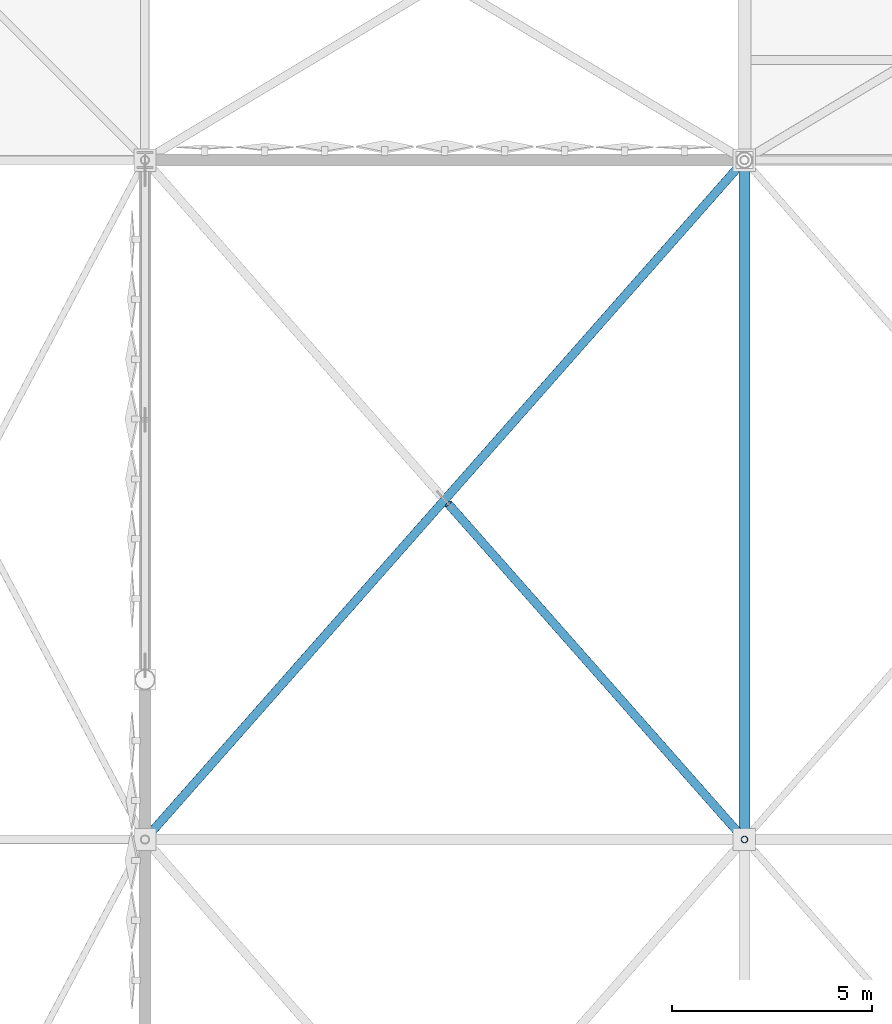
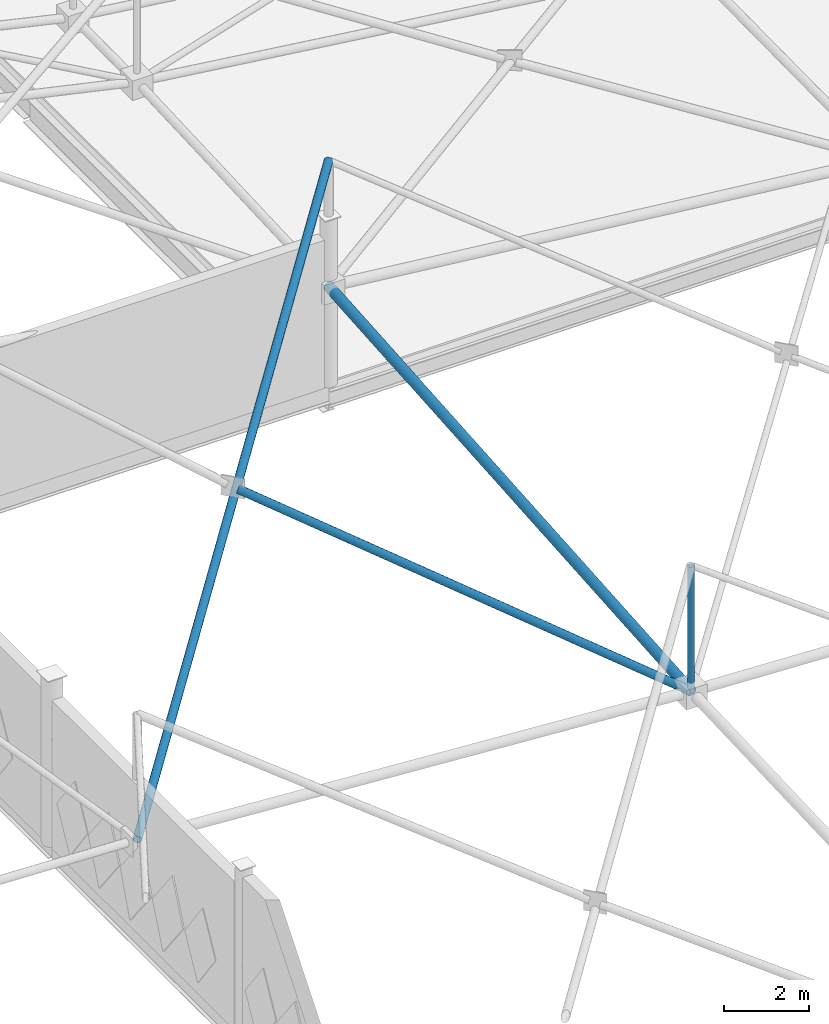
# One storey, part 74 of 224: 4 members.
"""IFC4 building model written with IfcOpenShell, lengths in metres."""

from ifc_helpers import new_model, si_unit, direction, frame, origin, origin_2d, place, context, subcontext, project, spatial, hollow_circle, extrude, material, material_profile, profile_set, type_object, element, save


model = new_model("IFC4")

# Units and contexts
model_context = context("Model", 3, precision=1e-05, world=origin(), true_north=direction((0.0, 1.0)))
body_context = subcontext(model_context, "Body", "Model", "MODEL_VIEW")
ifc_project = project(units=[si_unit("LENGTHUNIT", "METRE"), si_unit("AREAUNIT", "SQUARE_METRE"), si_unit("VOLUMEUNIT", "CUBIC_METRE"), si_unit("PLANEANGLEUNIT", "RADIAN"), si_unit("MASSUNIT", "GRAM", prefix="KILO")], contexts=[model_context])

# Site, building, storey
site_placement = place(None, origin())
site = spatial("IfcSite", under=ifc_project, at=site_placement, CompositionType="ELEMENT")
building_placement = place(site_placement, origin())
building = spatial("IfcBuilding", under=site, at=building_placement, Name="Qamarlyn Nura Convention Centre", CompositionType="ELEMENT")
storey_placement = place(building_placement, frame((0.0, 0.0, 10.800048828125)))
storey = spatial("IfcBuildingStorey", under=building, at=storey_placement, Name="L02", CompositionType="ELEMENT", Elevation=10.800048828125)

# Members
ifc_material = material(Name="Pearl-white PVDF steel ASTM A500 Grade C", Category="steel")
ifc_material_profile_1 = material_profile(ifc_material, hollow_circle(Radius=0.136474609375, WallThickness=0.012451171875, at=origin_2d()), Name="CHS273X12.5")
ifc_profile_set_1 = profile_set([ifc_material_profile_1], Name="Pearl-white PVDF steel ASTM A500 Grade C")
member_type_1 = type_object("IfcMemberType", Name="SF-BC-MAIN", PredefinedType="CHORD", material=ifc_profile_set_1)
member_1_placement = place(storey_placement, frame((15.0, 86.0, 1.48046875), z_axis=(0.0, 0.997141772719, 0.075553193831), x_axis=(-1.0, 0.0, 0.0)))
element("IfcMember", 1, at=member_1_placement, inside=storey, type_object=member_type_1, Name="ROOF TRUSS space frame bottom chord Y3-6", PredefinedType="CHORD", context=body_context, shape_type="SweptSolid", body=[
    extrude(hollow_circle(Radius=0.136474609375, WallThickness=0.012451171875, at=origin_2d()), origin(), (0.0, 0.0, 1.0), 17.048828125),
])
ifc_material_profile_2 = material_profile(ifc_material, hollow_circle(Radius=0.109619140625, WallThickness=0.010009765625, at=origin_2d()), Name="CHS219.1X10")
ifc_profile_set_2 = profile_set([ifc_material_profile_2], Name="Pearl-white PVDF steel ASTM A500 Grade C")
member_type_2 = type_object("IfcMemberType", Name="SF-WEB-HVY", PredefinedType="BRACE", material=ifc_profile_set_2)
member_2_placement = place(storey_placement, frame((0.0, 86.0, 2.483642578125), z_axis=(0.652116407985, 0.739065262383, 0.168898574223), x_axis=(-0.749837855365, 0.661621637087, 0.0)))
element("IfcMember", 2, at=member_2_placement, inside=storey, type_object=member_type_2, Name="ROOF TRUSS space frame diagonal A 2-6", PredefinedType="BRACE", context=body_context, shape_type="SweptSolid", body=[
    extrude(hollow_circle(Radius=0.109619140625, WallThickness=0.010009765625, at=origin_2d()), origin(), (0.0, 0.0, 1.0), 23.001953125),
])
member_3_placement = place(storey_placement, frame((15.0, 86.0, 1.48046875), z_axis=(-0.634859703166, 0.71948675253, 0.281588299171), x_axis=(-0.749828315594, -0.661632448671, 0.0)))
element("IfcMember", 3, at=member_3_placement, inside=storey, type_object=member_type_2, Name="ROOF TRUSS space frame split diagonal B1 2-6", PredefinedType="BRACE", context=body_context, shape_type="SweptSolid", body=[
    extrude(hollow_circle(Radius=0.109619140625, WallThickness=0.010009765625, at=origin_2d()), origin(), (0.0, 0.0, 1.0), 11.67529296875),
])
ifc_material_profile_3 = material_profile(ifc_material, hollow_circle(Radius=0.084228515625, WallThickness=0.008056640625, at=origin_2d()), Name="CHS168.3X8")
ifc_profile_set_3 = profile_set([ifc_material_profile_3], Name="Pearl-white PVDF steel ASTM A500 Grade C")
member_type_3 = type_object("IfcMemberType", Name="SF-WEB-STD", PredefinedType="BRACE", material=ifc_profile_set_3)
member_4_placement = place(storey_placement, frame((15.0, 86.0, 1.48046875), z_axis=(0.0, 0.0, 1.0), x_axis=(1.0, 0.0, 0.0)))
element("IfcMember", 4, at=member_4_placement, inside=storey, type_object=member_type_3, Name="ROOF TRUSS space frame vertical 3-6", PredefinedType="BRACE", context=body_context, shape_type="SweptSolid", body=[
    extrude(hollow_circle(Radius=0.084228515625, WallThickness=0.008056640625, at=origin_2d()), origin(), (0.0, 0.0, 1.0), 3.60009765625),
])

save(model, "model.ifc")
